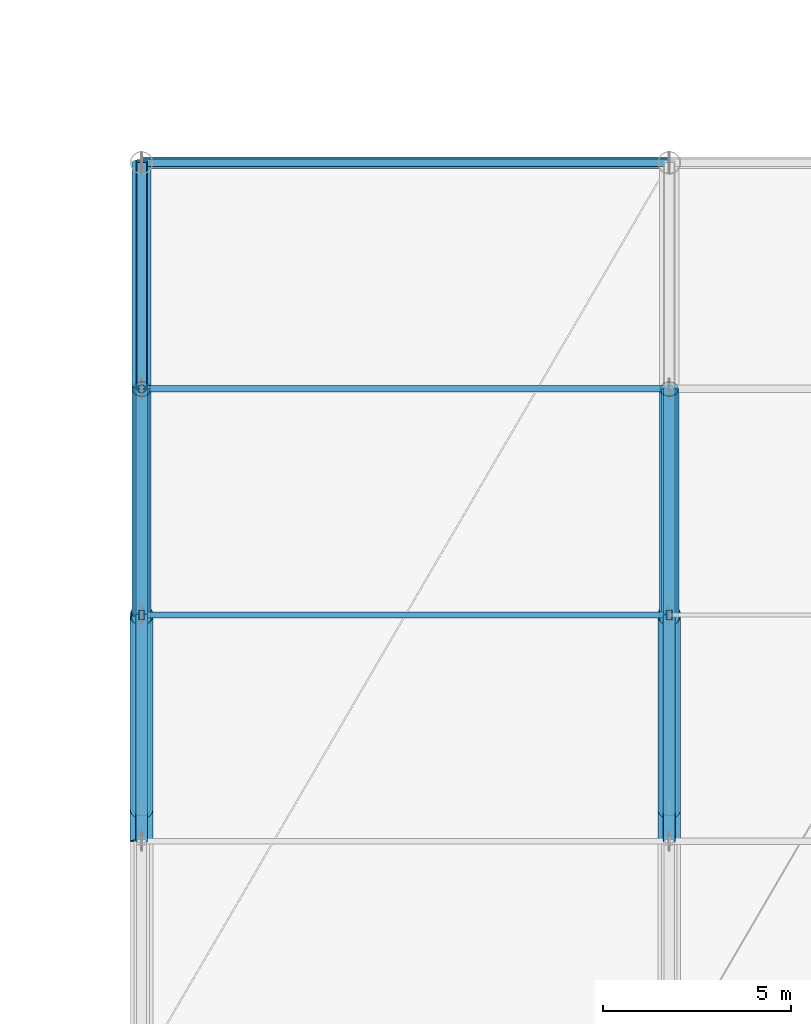
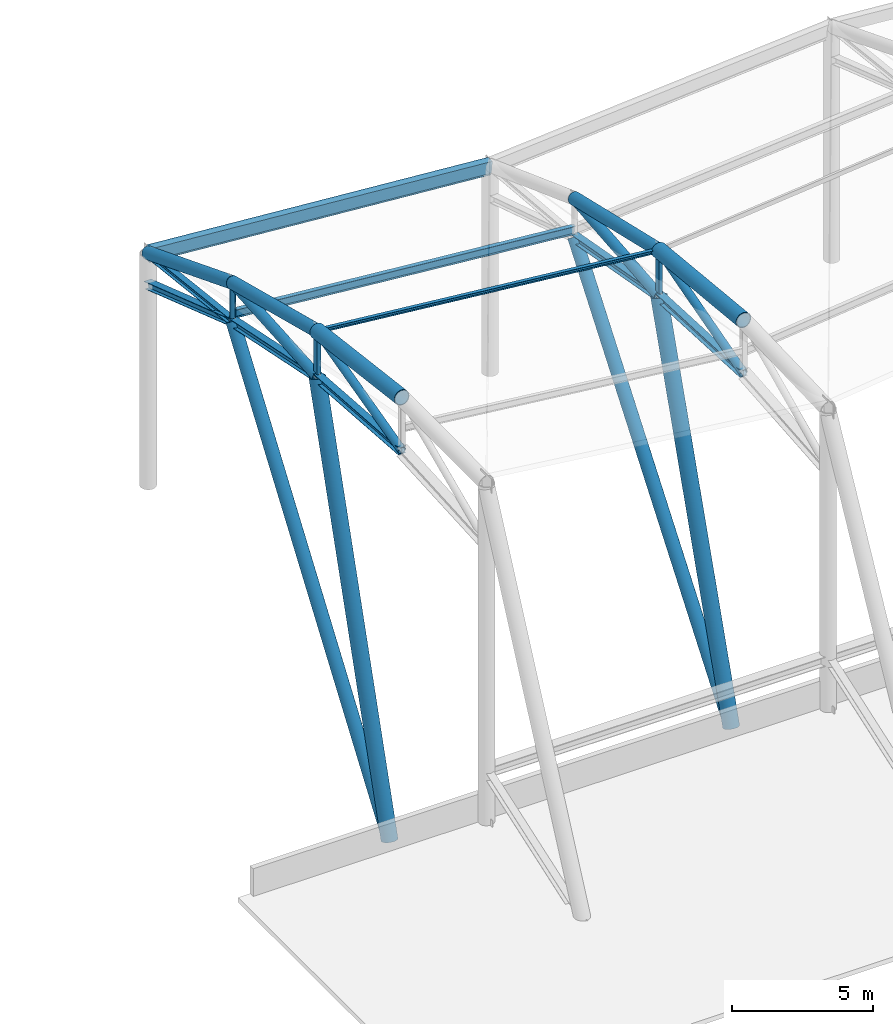
# One storey, part 19 of 90: 25 members, 1 beam.
"""IFC4 building model written with IfcOpenShell, lengths in metres."""

from ifc_helpers import new_model, si_unit, direction, frame, origin, origin_2d, place, context, subcontext, project, spatial, hollow_rectangle, hollow_circle, i_section, extrude, material, material_profile, profile_set, type_object, element, save


model = new_model("IFC4")

# Units and contexts
model_context = context("Model", 3, precision=1e-05, world=origin(), true_north=direction((0.0, 1.0)))
body_context = subcontext(model_context, "Body", "Model", "MODEL_VIEW")
ifc_project = project(units=[si_unit("LENGTHUNIT", "METRE"), si_unit("AREAUNIT", "SQUARE_METRE"), si_unit("VOLUMEUNIT", "CUBIC_METRE"), si_unit("PLANEANGLEUNIT", "RADIAN"), si_unit("MASSUNIT", "GRAM", prefix="KILO")], contexts=[model_context])

# Site, building, storey
site_placement = place(None, origin())
site = spatial("IfcSite", under=ifc_project, at=site_placement, CompositionType="ELEMENT")
building_placement = place(site_placement, origin())
building = spatial("IfcBuilding", under=site, at=building_placement, Name="Linyun Crest Stadium", CompositionType="ELEMENT")
storey_placement = place(building_placement, frame((0.0, 0.0, 21.0)))
storey = spatial("IfcBuildingStorey", under=building, at=storey_placement, Name="L05", CompositionType="ELEMENT", Elevation=21.0)

# Member
ifc_material_1 = material(Name="Steel Q355C", Category="steel")
ifc_material_profile_1 = material_profile(ifc_material_1, i_section(OverallWidth=0.14990234375, OverallDepth=0.14990234375, WebThickness=0.007080078125, FlangeThickness=0.010009765625, at=origin_2d()), Name="HW 150x150")
ifc_profile_set_1 = profile_set([ifc_material_profile_1], Name="Steel Q355C")
member_type_1 = type_object("IfcMemberType", Name="AR01", PredefinedType="USERDEFINED", material=ifc_profile_set_1)
member_1_placement = place(storey_placement, frame((-28.0, -61.5, 13.950927734375), z_axis=(0.995024124811, 0.0, -0.099634286493), x_axis=(0.0, 1.0, 0.0)))
element("IfcMember", 1, at=member_1_placement, inside=storey, type_object=member_type_1, Name="Art Nouveau canopy arch rib AR01 V4 570", ObjectType="ARCH RIB", PredefinedType="USERDEFINED", context=body_context, shape_type="SweptSolid", body=[
    extrude(i_section(OverallWidth=0.14990234375, OverallDepth=0.14990234375, WebThickness=0.007080078125, FlangeThickness=0.010009765625, at=origin_2d()), origin(), (0.0, 0.0, 1.0), 14.070068359375),
])

# Beam
ifc_material_2 = material(Name="Steel Q420C", Category="steel")
ifc_material_profile_2 = material_profile(ifc_material_2, hollow_rectangle(XDim=0.300048828125, YDim=0.5, WallThickness=0.02001953125, at=origin_2d()), Name="RHS 500x300x20")
ifc_profile_set_2 = profile_set([ifc_material_profile_2], Name="Steel Q420C")
beam_type = type_object("IfcBeamType", Name="HB03", PredefinedType="USERDEFINED", material=ifc_profile_set_2)
beam_placement = place(storey_placement, frame((-28.0, -49.5, 10.052001953125), z_axis=(0.996905179889, 0.0, -0.07861337234), x_axis=(0.0, 1.0, 0.0)))
element("IfcBeam", 2, at=beam_placement, inside=storey, type_object=beam_type, Name="Roof Inner tension ring beam HB03 V4 37", ObjectType="RING BEAM", PredefinedType="USERDEFINED", context=body_context, shape_type="SweptSolid", body=[
    extrude(hollow_rectangle(XDim=0.300048828125, YDim=0.5, WallThickness=0.02001953125, at=origin_2d()), origin(), (0.0, 0.0, 1.0), 14.04345703125),
])

# Members
ifc_material_3 = material(Name="Steel Q355B", Category="steel")
ifc_material_profile_3 = material_profile(ifc_material_3, i_section(OverallWidth=0.175048828125, OverallDepth=0.35009765625, WebThickness=0.007080078125, FlangeThickness=0.010986328125, at=origin_2d()), Name="HN 350x175")
ifc_profile_set_3 = profile_set([ifc_material_profile_3], Name="Steel Q355B")
member_type_2 = type_object("IfcMemberType", Name="PR02", PredefinedType="PURLIN", material=ifc_profile_set_3)
member_2_placement = place(storey_placement, frame((-28.0, -55.5, 11.06591796875), z_axis=(0.996025387251, 0.0, -0.089069792582), x_axis=(0.0, 1.0, 0.0)))
element("IfcMember", 3, at=member_2_placement, inside=storey, type_object=member_type_2, Name="Roof canopy purlin PR02 V4 568", PredefinedType="PURLIN", context=body_context, shape_type="SweptSolid", body=[
    extrude(i_section(OverallWidth=0.175048828125, OverallDepth=0.35009765625, WebThickness=0.007080078125, FlangeThickness=0.010986328125, at=origin_2d()), origin(), (0.0, 0.0, 1.0), 14.055908203125),
])
ifc_material_4 = material(Name="Steel Q355B", Category="steel")
ifc_material_profile_4 = material_profile(ifc_material_4, i_section(OverallWidth=0.199951171875, OverallDepth=0.39990234375, WebThickness=0.008056640625, FlangeThickness=0.012939453125, at=origin_2d()), Name="HN 400x200")
ifc_profile_set_4 = profile_set([ifc_material_profile_4], Name="Steel Q355B")
member_type_3 = type_object("IfcMemberType", Name="PR03", PredefinedType="PURLIN", material=ifc_profile_set_4)
member_3_placement = place(storey_placement, frame((-28.0, -49.5, 9.89208984375), z_axis=(0.996905179889, 0.0, -0.07861337234), x_axis=(0.0, 1.0, 0.0)))
element("IfcMember", 4, at=member_3_placement, inside=storey, type_object=member_type_3, Name="Roof canopy purlin PR03 V4 569", PredefinedType="PURLIN", context=body_context, shape_type="SweptSolid", body=[
    extrude(i_section(OverallWidth=0.199951171875, OverallDepth=0.39990234375, WebThickness=0.008056640625, FlangeThickness=0.012939453125, at=origin_2d()), origin(), (0.0, 0.0, 1.0), 14.04345703125),
])
ifc_material_5 = material(Name="Steel Q420C", Category="steel")
ifc_material_profile_5 = material_profile(ifc_material_5, hollow_circle(Radius=0.25390625, WallThickness=0.02490234375, at=origin_2d()), Name="CHS 508x25")
ifc_profile_set_5 = profile_set([ifc_material_profile_5], Name="Steel Q420C")
member_type_4 = type_object("IfcMemberType", Name="TC01", PredefinedType="CHORD", material=ifc_profile_set_5)
member_4_placement = place(storey_placement, frame((-28.0, -61.5, 13.950927734375), z_axis=(0.0, 0.968260101337, -0.249944746211), x_axis=(-1.0, 0.0, 0.0)))
element("IfcMember", 5, at=member_4_placement, inside=storey, type_object=member_type_4, Name="Roof truss top chord TC01 V4 481", PredefinedType="CHORD", context=body_context, shape_type="SweptSolid", body=[
    extrude(hollow_circle(Radius=0.25390625, WallThickness=0.02490234375, at=origin_2d()), origin(), (0.0, 0.0, 1.0), 6.19677734375),
])
member_5_placement = place(storey_placement, frame((-28.0, -55.5, 12.402099609375), z_axis=(0.0, 0.931123104416, -0.364705037561), x_axis=(-1.0, 0.0, 0.0)))
element("IfcMember", 6, at=member_5_placement, inside=storey, type_object=member_type_4, Name="Roof truss top chord TC01 V4 485", PredefinedType="CHORD", context=body_context, shape_type="SweptSolid", body=[
    extrude(hollow_circle(Radius=0.25390625, WallThickness=0.02490234375, at=origin_2d()), origin(), (0.0, 0.0, 1.0), 6.44384765625),
])
member_6_placement = place(storey_placement, frame((-28.0, -66.625, -4.97998046875), z_axis=(0.0, 0.577720061016, 0.81623497297), x_axis=(-1.0, 0.0, 0.0)))
element("IfcMember", 7, at=member_6_placement, inside=storey, type_object=member_type_4, Name="Roof arch forward V-strut TC01 V4 490", PredefinedType="CHORD", context=body_context, shape_type="SweptSolid", body=[
    extrude(hollow_circle(Radius=0.25390625, WallThickness=0.02490234375, at=origin_2d()), origin(), (0.0, 0.0, 1.0), 19.2568359375),
])
member_7_placement = place(storey_placement, frame((-14.0, -61.5, 12.549072265625), z_axis=(0.0, 0.973835948352, -0.22725216324), x_axis=(-1.0, 0.0, 0.0)))
element("IfcMember", 8, at=member_7_placement, inside=storey, type_object=member_type_4, Name="Roof truss top chord TC01 V4 500", PredefinedType="CHORD", context=body_context, shape_type="SweptSolid", body=[
    extrude(hollow_circle(Radius=0.25390625, WallThickness=0.02490234375, at=origin_2d()), origin(), (0.0, 0.0, 1.0), 6.1611328125),
])
member_8_placement = place(storey_placement, frame((-14.0, -66.625, -4.97998046875), z_axis=(0.0, 0.609642223635, 0.792676705323), x_axis=(-1.0, 0.0, 0.0)))
element("IfcMember", 9, at=member_8_placement, inside=storey, type_object=member_type_4, Name="Roof arch forward V-strut TC01 V4 509", PredefinedType="CHORD", context=body_context, shape_type="SweptSolid", body=[
    extrude(hollow_circle(Radius=0.25390625, WallThickness=0.02490234375, at=origin_2d()), origin(), (0.0, 0.0, 1.0), 18.248291015625),
])
ifc_material_6 = material(Name="Steel Q420C", Category="steel")
ifc_material_profile_6 = material_profile(ifc_material_6, hollow_circle(Radius=0.304931640625, WallThickness=0.030029296875, at=origin_2d()), Name="CHS 610x30")
ifc_profile_set_6 = profile_set([ifc_material_profile_6], Name="Steel Q420C")
member_type_5 = type_object("IfcMemberType", Name="TC02", PredefinedType="CHORD", material=ifc_profile_set_6)
member_9_placement = place(storey_placement, frame((-28.0, -67.5, 14.700927734375), z_axis=(0.0, 0.992277876714, -0.124034734589), x_axis=(-1.0, 0.0, 0.0)))
element("IfcMember", 10, at=member_9_placement, inside=storey, type_object=member_type_5, Name="Roof truss top chord TC02 V4 477", PredefinedType="CHORD", context=body_context, shape_type="SweptSolid", body=[
    extrude(hollow_circle(Radius=0.304931640625, WallThickness=0.030029296875, at=origin_2d()), origin(), (0.0, 0.0, 1.0), 6.046630859375),
])
member_10_placement = place(storey_placement, frame((-28.0, -66.625, -4.97998046875), z_axis=(0.0, 0.289340159491, 0.957226343195), x_axis=(-1.0, 0.0, 0.0)))
element("IfcMember", 11, at=member_10_placement, inside=storey, type_object=member_type_5, Name="Roof arch inclined support strut TC02 V4 489", PredefinedType="CHORD", context=body_context, shape_type="SweptSolid", body=[
    extrude(hollow_circle(Radius=0.304931640625, WallThickness=0.030029296875, at=origin_2d()), origin(), (0.0, 0.0, 1.0), 17.712646484375),
])
member_11_placement = place(storey_placement, frame((-14.0, -67.5, 13.14990234375), z_axis=(0.0, 0.995023551382, -0.099640013019), x_axis=(-1.0, 0.0, 0.0)))
element("IfcMember", 12, at=member_11_placement, inside=storey, type_object=member_type_5, Name="Roof truss top chord TC02 V4 496", PredefinedType="CHORD", context=body_context, shape_type="SweptSolid", body=[
    extrude(hollow_circle(Radius=0.304931640625, WallThickness=0.030029296875, at=origin_2d()), origin(), (0.0, 0.0, 1.0), 6.030029296875),
])
member_12_placement = place(storey_placement, frame((-14.0, -66.625, -4.97998046875), z_axis=(0.0, 0.312965345656, 0.949764545779), x_axis=(-1.0, 0.0, 0.0)))
element("IfcMember", 13, at=member_12_placement, inside=storey, type_object=member_type_5, Name="Roof arch inclined support strut TC02 V4 508", PredefinedType="CHORD", context=body_context, shape_type="SweptSolid", body=[
    extrude(hollow_circle(Radius=0.304931640625, WallThickness=0.030029296875, at=origin_2d()), origin(), (0.0, 0.0, 1.0), 16.375732421875),
])
ifc_material_7 = material(Name="Steel Q355C", Category="steel")
ifc_material_profile_7 = material_profile(ifc_material_7, i_section(OverallWidth=0.300048828125, OverallDepth=0.300048828125, WebThickness=0.010009765625, FlangeThickness=0.014892578125, at=origin_2d()), Name="HW 300x300")
ifc_profile_set_7 = profile_set([ifc_material_profile_7], Name="Steel Q355C")
member_type_6 = type_object("IfcMemberType", Name="TC03", PredefinedType="CHORD", material=ifc_profile_set_7)
member_13_placement = place(storey_placement, frame((-28.0, -67.5, 12.4130859375), z_axis=(0.0, 0.997346243712, -0.072804327849), x_axis=(-1.0, 0.0, 0.0)))
element("IfcMember", 14, at=member_13_placement, inside=storey, type_object=member_type_6, Name="Roof truss bottom chord TC03 V4 478", PredefinedType="CHORD", context=body_context, shape_type="SweptSolid", body=[
    extrude(i_section(OverallWidth=0.300048828125, OverallDepth=0.300048828125, WebThickness=0.010009765625, FlangeThickness=0.014892578125, at=origin_2d()), origin(), (0.0, 0.0, 1.0), 6.015869140625),
])
member_14_placement = place(storey_placement, frame((-28.0, -61.5, 11.97509765625), z_axis=(0.0, 0.979400054026, -0.201929527741), x_axis=(-1.0, 0.0, 0.0)))
element("IfcMember", 15, at=member_14_placement, inside=storey, type_object=member_type_6, Name="Roof truss bottom chord TC03 V4 482", PredefinedType="CHORD", context=body_context, shape_type="SweptSolid", body=[
    extrude(i_section(OverallWidth=0.300048828125, OverallDepth=0.300048828125, WebThickness=0.010009765625, FlangeThickness=0.014892578125, at=origin_2d()), origin(), (0.0, 0.0, 1.0), 6.126220703125),
])
member_15_placement = place(storey_placement, frame((-28.0, -55.5, 10.738037109375), z_axis=(0.0, 0.946864764463, -0.321631960194), x_axis=(-1.0, 0.0, 0.0)))
element("IfcMember", 16, at=member_15_placement, inside=storey, type_object=member_type_6, Name="Roof truss bottom chord TC03 V4 486", PredefinedType="CHORD", context=body_context, shape_type="SweptSolid", body=[
    extrude(i_section(OverallWidth=0.300048828125, OverallDepth=0.300048828125, WebThickness=0.010009765625, FlangeThickness=0.014892578125, at=origin_2d()), origin(), (0.0, 0.0, 1.0), 6.336669921875),
])
member_16_placement = place(storey_placement, frame((-14.0, -67.5, 10.862060546875), z_axis=(0.0, 0.998841500616, -0.048121270212), x_axis=(-1.0, 0.0, 0.0)))
element("IfcMember", 17, at=member_16_placement, inside=storey, type_object=member_type_6, Name="Roof truss bottom chord TC03 V4 497", PredefinedType="CHORD", context=body_context, shape_type="SweptSolid", body=[
    extrude(i_section(OverallWidth=0.300048828125, OverallDepth=0.300048828125, WebThickness=0.010009765625, FlangeThickness=0.014892578125, at=origin_2d()), origin(), (0.0, 0.0, 1.0), 6.007080078125),
])
member_17_placement = place(storey_placement, frame((-14.0, -61.5, 10.572998046875), z_axis=(0.0, 0.983956914603, -0.178406250467), x_axis=(-1.0, 0.0, 0.0)))
element("IfcMember", 18, at=member_17_placement, inside=storey, type_object=member_type_6, Name="Roof truss bottom chord TC03 V4 501", PredefinedType="CHORD", context=body_context, shape_type="SweptSolid", body=[
    extrude(i_section(OverallWidth=0.300048828125, OverallDepth=0.300048828125, WebThickness=0.010009765625, FlangeThickness=0.014892578125, at=origin_2d()), origin(), (0.0, 0.0, 1.0), 6.097900390625),
])
ifc_material_8 = material(Name="Steel Q355C", Category="steel")
ifc_material_profile_8 = material_profile(ifc_material_8, hollow_circle(Radius=0.16259765625, WallThickness=0.01611328125, at=origin_2d()), Name="CHS 325x16")
ifc_profile_set_8 = profile_set([ifc_material_profile_8], Name="Steel Q355C")
member_type_7 = type_object("IfcMemberType", Name="TD02", PredefinedType="BRACE", material=ifc_profile_set_8)
member_18_placement = place(storey_placement, frame((-28.0, -67.5, 12.4130859375), z_axis=(0.0, 0.968687934198, 0.248281465556), x_axis=(-1.0, 0.0, 0.0)))
element("IfcMember", 19, at=member_18_placement, inside=storey, type_object=member_type_7, Name="Roof truss diagonal TD02 V4 479", PredefinedType="BRACE", context=body_context, shape_type="SweptSolid", body=[
    extrude(hollow_circle(Radius=0.16259765625, WallThickness=0.01611328125, at=origin_2d()), origin(), (0.0, 0.0, 1.0), 6.19384765625),
])
member_19_placement = place(storey_placement, frame((-14.0, -67.5, 10.862060546875), z_axis=(0.0, 0.962671356068, 0.270672976499), x_axis=(-1.0, 0.0, 0.0)))
element("IfcMember", 20, at=member_19_placement, inside=storey, type_object=member_type_7, Name="Roof truss diagonal TD02 V4 498", PredefinedType="BRACE", context=body_context, shape_type="SweptSolid", body=[
    extrude(hollow_circle(Radius=0.16259765625, WallThickness=0.01611328125, at=origin_2d()), origin(), (0.0, 0.0, 1.0), 6.232666015625),
])
ifc_material_9 = material(Name="Steel Q420C", Category="steel")
ifc_material_profile_9 = material_profile(ifc_material_9, hollow_circle(Radius=0.202880859375, WallThickness=0.02001953125, at=origin_2d()), Name="CHS 406x20")
ifc_profile_set_9 = profile_set([ifc_material_profile_9], Name="Steel Q420C")
member_type_8 = type_object("IfcMemberType", Name="TD03", PredefinedType="BRACE", material=ifc_profile_set_9)
member_20_placement = place(storey_placement, frame((-28.0, -61.5, 11.97509765625), z_axis=(0.0, 0.997477208541, 0.070987452707), x_axis=(-1.0, 0.0, 0.0)))
element("IfcMember", 21, at=member_20_placement, inside=storey, type_object=member_type_8, Name="Roof truss diagonal TD03 V4 483", PredefinedType="BRACE", context=body_context, shape_type="SweptSolid", body=[
    extrude(hollow_circle(Radius=0.202880859375, WallThickness=0.02001953125, at=origin_2d()), origin(), (0.0, 0.0, 1.0), 6.01513671875),
])
member_21_placement = place(storey_placement, frame((-14.0, -61.5, 10.572998046875), z_axis=(0.0, 0.995424748219, 0.095548786664), x_axis=(-1.0, 0.0, 0.0)))
element("IfcMember", 22, at=member_21_placement, inside=storey, type_object=member_type_8, Name="Roof truss diagonal TD03 V4 502", PredefinedType="BRACE", context=body_context, shape_type="SweptSolid", body=[
    extrude(hollow_circle(Radius=0.202880859375, WallThickness=0.02001953125, at=origin_2d()), origin(), (0.0, 0.0, 1.0), 6.027587890625),
])
ifc_material_10 = material(Name="Steel Q355C", Category="steel")
ifc_material_profile_10 = material_profile(ifc_material_10, i_section(OverallWidth=0.25, OverallDepth=0.25, WebThickness=0.009033203125, FlangeThickness=0.013916015625, at=origin_2d()), Name="HW 250x250")
ifc_profile_set_10 = profile_set([ifc_material_profile_10], Name="Steel Q355C")
member_type_9 = type_object("IfcMemberType", Name="TD04", PredefinedType="BRACE", material=ifc_profile_set_10)
member_22_placement = place(storey_placement, frame((-28.0, -55.5, 10.738037109375), z_axis=(0.0, 0.993526677305, -0.113599038217), x_axis=(-1.0, 0.0, 0.0)))
element("IfcMember", 23, at=member_22_placement, inside=storey, type_object=member_type_9, Name="Roof truss diagonal TD04 V4 487", PredefinedType="BRACE", context=body_context, shape_type="SweptSolid", body=[
    extrude(i_section(OverallWidth=0.25, OverallDepth=0.25, WebThickness=0.009033203125, FlangeThickness=0.013916015625, at=origin_2d()), origin(), (0.0, 0.0, 1.0), 6.0390625),
])
ifc_material_11 = material(Name="Steel Q355C", Category="steel")
ifc_material_profile_11 = material_profile(ifc_material_11, hollow_circle(Radius=0.109619140625, WallThickness=0.011962890625, at=origin_2d()), Name="CHS 219x12")
ifc_profile_set_11 = profile_set([ifc_material_profile_11], Name="Steel Q355C")
member_type_10 = type_object("IfcMemberType", Name="TV01", PredefinedType="STRUT", material=ifc_profile_set_11)
member_23_placement = place(storey_placement, frame((-28.0, -55.5, 10.738037109375), z_axis=(0.0, 0.0, 1.0), x_axis=(1.0, 0.0, 0.0)))
element("IfcMember", 24, at=member_23_placement, inside=storey, type_object=member_type_10, Name="Roof vertical strut TV01 V4 488", PredefinedType="STRUT", context=body_context, shape_type="SweptSolid", body=[
    extrude(hollow_circle(Radius=0.109619140625, WallThickness=0.011962890625, at=origin_2d()), origin(), (0.0, 0.0, 1.0), 1.6640625),
])
ifc_material_12 = material(Name="Steel Q355C", Category="steel")
ifc_material_profile_12 = material_profile(ifc_material_12, hollow_rectangle(XDim=0.14990234375, YDim=0.25, WallThickness=0.010009765625, at=origin_2d()), Name="RHS 250x150x10")
ifc_profile_set_12 = profile_set([ifc_material_profile_12], Name="Steel Q355C")
member_type_11 = type_object("IfcMemberType", Name="TV03", PredefinedType="STRUT", material=ifc_profile_set_12)
member_24_placement = place(storey_placement, frame((-28.0, -61.5, 11.97509765625), z_axis=(0.0, 0.0, 1.0), x_axis=(1.0, 0.0, 0.0)))
element("IfcMember", 25, at=member_24_placement, inside=storey, type_object=member_type_11, Name="Roof vertical strut TV03 V4 484", PredefinedType="STRUT", context=body_context, shape_type="SweptSolid", body=[
    extrude(hollow_rectangle(XDim=0.14990234375, YDim=0.25, WallThickness=0.010009765625, at=origin_2d()), origin(), (0.0, 0.0, 1.0), 1.975830078125),
])
member_25_placement = place(storey_placement, frame((-14.0, -61.5, 10.572998046875), z_axis=(0.0, 0.0, 1.0), x_axis=(1.0, 0.0, 0.0)))
element("IfcMember", 26, at=member_25_placement, inside=storey, type_object=member_type_11, Name="Roof vertical strut TV03 V4 503", PredefinedType="STRUT", context=body_context, shape_type="SweptSolid", body=[
    extrude(hollow_rectangle(XDim=0.14990234375, YDim=0.25, WallThickness=0.010009765625, at=origin_2d()), origin(), (0.0, 0.0, 1.0), 1.97607421875),
])

save(model, "model.ifc")
